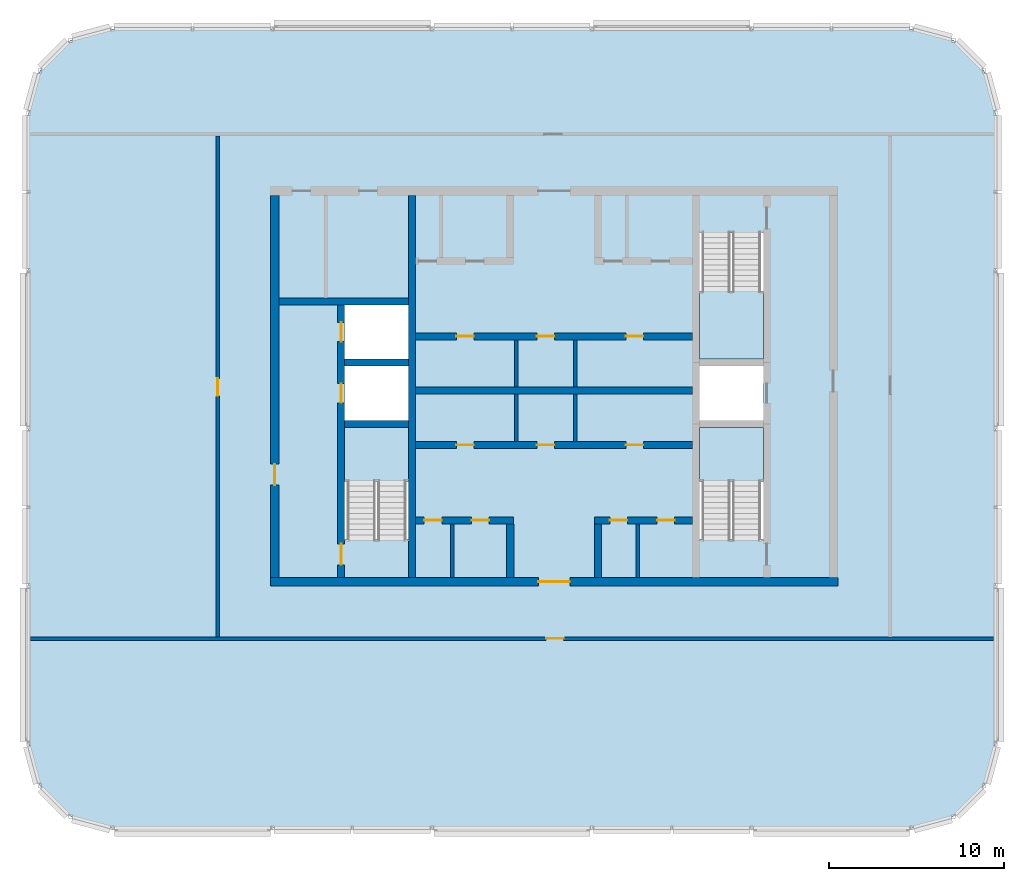
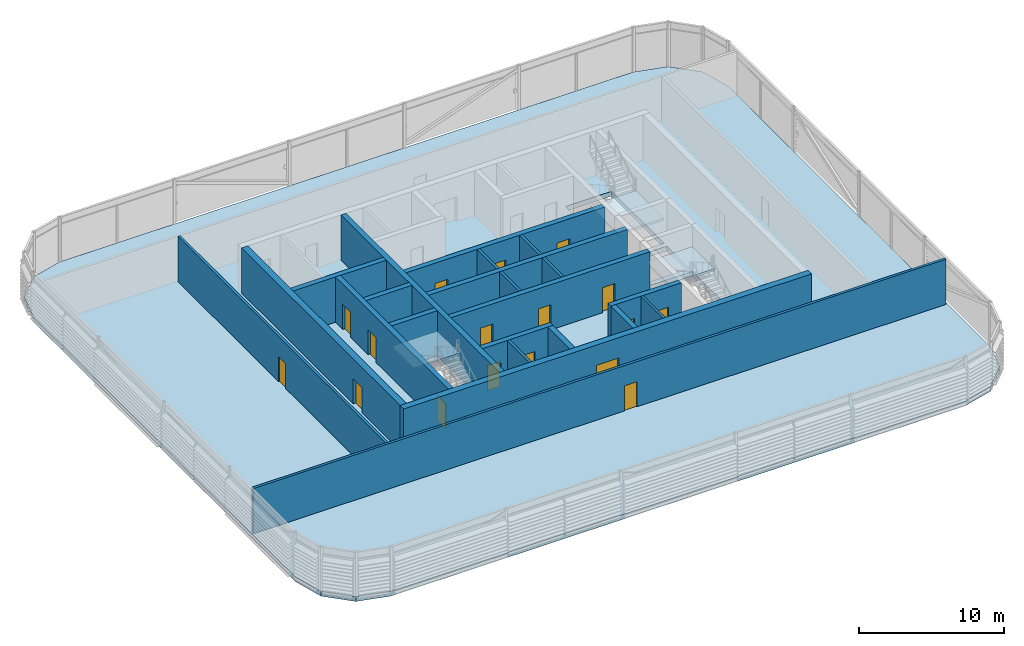
# One storey, part 15 of 28: 22 walls, 17 doors, 4 slabs, 17 openings, 3 elements without a shape of their own.
"""IFC4 building model written with IfcOpenShell, lengths in metres."""

from ifc_helpers import new_model, si_unit, direction, frame, frame_2d, origin, place, context, subcontext, project, spatial, polyline, rectangle, outline, extrude, material, layer, layer_set, type_object, element, fill, aggregate, save


model = new_model("IFC4")

# Units and contexts
model_context = context("Model", 3, precision=1e-05, world=origin(), true_north=direction((0.0, 1.0)))
body_context = subcontext(model_context, "Body", "Model", "MODEL_VIEW")
ifc_project = project(units=[si_unit("LENGTHUNIT", "METRE"), si_unit("AREAUNIT", "SQUARE_METRE"), si_unit("VOLUMEUNIT", "CUBIC_METRE"), si_unit("PLANEANGLEUNIT", "RADIAN"), si_unit("MASSUNIT", "GRAM", prefix="KILO")], contexts=[model_context])

# Site, building, storey
site_placement = place(None, origin())
site = spatial("IfcSite", under=ifc_project, at=site_placement, CompositionType="ELEMENT")
building_placement = place(site_placement, origin())
building = spatial("IfcBuilding", under=site, at=building_placement, Name="Madar Terraces", CompositionType="ELEMENT")
storey_placement = place(building_placement, frame((0.0, 0.0, 305.89990234375)))
storey = spatial("IfcBuildingStorey", under=building, at=storey_placement, Name="L79", CompositionType="ELEMENT", Elevation=305.89990234375)

# Slab
ifc_material_1 = material(Name="Concrete C50/60", Category="concrete")
ifc_layer_1 = layer(ifc_material_1, 0.39990234375)
ifc_layer_set_1 = layer_set([ifc_layer_1], Name="FS6 PT flat slab 400")
slab_type_1 = type_object("IfcSlabType", Name="FS6 PT flat slab 400", PredefinedType="FLOOR", material=ifc_layer_set_1)
slab_1_placement = place(storey_placement, frame((0.0, 0.0, -0.39990234375)))
element("IfcSlab", 1, at=slab_1_placement, inside=storey, type_object=slab_type_1, Name="Floor slab L79 (1)", PredefinedType="FLOOR", context=body_context, shape_type="SweptSolid", body=[
    extrude(outline(polyline([(51.60009765625, 1.199951171875), (54.0, 1.843017578125), (55.7568359375, 3.60009765625), (56.39990234375, 6.0), (56.39990234375, 42.0), (55.7568359375, 44.39990234375), (54.0, 46.156982421875), (51.60009765625, 46.800048828125), (6.0, 46.800048828125), (3.60009765625, 46.156982421875), (1.843017578125, 44.39990234375), (1.199951171875, 42.0), (1.199951171875, 6.0), (1.843017578125, 3.60009765625), (3.60009765625, 1.843017578125), (6.0, 1.199951171875), (51.60009765625, 1.199951171875)]), holes=[polyline([(22.89990234375, 24.050048828125), (22.89990234375, 17.64990234375), (19.25, 17.64990234375), (19.25, 24.050048828125), (22.89990234375, 24.050048828125)]), polyline([(43.14990234375, 17.64990234375), (39.5, 17.64990234375), (39.5, 24.050048828125), (43.14990234375, 24.050048828125), (43.14990234375, 17.64990234375)]), polyline([(22.89990234375, 24.449951171875), (19.25, 24.449951171875), (19.25, 27.550048828125), (22.89990234375, 27.550048828125), (22.89990234375, 24.449951171875)]), polyline([(43.14990234375, 27.550048828125), (43.14990234375, 24.449951171875), (39.5, 24.449951171875), (39.5, 27.550048828125), (43.14990234375, 27.550048828125)]), polyline([(22.89990234375, 27.949951171875), (19.25, 27.949951171875), (19.25, 31.050048828125), (22.89990234375, 31.050048828125), (22.89990234375, 27.949951171875)]), polyline([(43.14990234375, 27.949951171875), (39.5, 27.949951171875), (39.5, 35.14990234375), (43.14990234375, 35.14990234375), (43.14990234375, 27.949951171875)])]), origin(), (0.0, 0.0, 1.0), 0.39990234375),
])

# Stair, slab
ifc_material_2 = material(Name="Concrete C50/60", Category="concrete")
stair_type_1 = type_object("IfcStairType", Name="Stair ST1 protected exit", PredefinedType="HALF_TURN_STAIR", material=ifc_material_2)
stair_1_placement = place(storey_placement, origin())
stair_1 = element("IfcStair", 2, at=stair_1_placement, inside=storey, type_object=stair_type_1, Name="L79 Protected Exit Stair ST1", PredefinedType="HALF_TURN_STAIR")
ifc_material_3 = material(Name="Concrete C50/60", Category="concrete")
ifc_layer_2 = layer(ifc_material_3, 0.199951171875)
ifc_layer_set_2 = layer_set([ifc_layer_2], Name="Stair landing 200, top +2.10")
slab_type_2 = type_object("IfcSlabType", Name="Stair landing 200, top +2.10", PredefinedType="LANDING", material=ifc_layer_set_2)
slab_2_placement = place(storey_placement, frame((0.0, 0.0, 1.900146484375)))
slab_2 = element("IfcSlab", 3, at=slab_2_placement, type_object=slab_type_2, Name="ST1 landing 1", PredefinedType="LANDING", context=body_context, shape_type="SweptSolid", body=[
    extrude(outline(polyline([(19.25, 20.97998046875), (22.89990234375, 20.97998046875), (22.89990234375, 24.050048828125), (19.25, 24.050048828125), (19.25, 20.97998046875)])), origin(), (0.0, 0.0, 1.0), 0.199951171875),
])
aggregate(stair_1, [slab_2])

ifc_material_4 = material(Name="Concrete C50/60", Category="concrete")
stair_type_2 = type_object("IfcStairType", Name="Stair ST2 protected exit", PredefinedType="HALF_TURN_STAIR", material=ifc_material_4)
stair_2_placement = place(storey_placement, origin())
stair_2 = element("IfcStair", 4, at=stair_2_placement, inside=storey, type_object=stair_type_2, Name="L79 Protected Exit Stair ST2", PredefinedType="HALF_TURN_STAIR")
slab_3_placement = place(storey_placement, frame((0.0, 0.0, 1.900146484375)))
slab_3 = element("IfcSlab", 5, at=slab_3_placement, type_object=slab_type_2, Name="ST2 landing 1", PredefinedType="LANDING", context=body_context, shape_type="SweptSolid", body=[
    extrude(outline(polyline([(39.5, 27.949951171875), (43.14990234375, 27.949951171875), (43.14990234375, 31.820068359375), (39.5, 31.820068359375), (39.5, 27.949951171875)])), origin(), (0.0, 0.0, 1.0), 0.199951171875),
])
aggregate(stair_2, [slab_3])

ifc_material_5 = material(Name="Concrete C50/60", Category="concrete")
stair_type_3 = type_object("IfcStairType", Name="Stair ST3 protected exit", PredefinedType="HALF_TURN_STAIR", material=ifc_material_5)
stair_3_placement = place(storey_placement, origin())
stair_3 = element("IfcStair", 6, at=stair_3_placement, inside=storey, type_object=stair_type_3, Name="L79 Protected Exit Stair ST3", PredefinedType="HALF_TURN_STAIR")
slab_4_placement = place(storey_placement, frame((0.0, 0.0, 1.900146484375)))
slab_4 = element("IfcSlab", 7, at=slab_4_placement, type_object=slab_type_2, Name="ST3 landing 1", PredefinedType="LANDING", context=body_context, shape_type="SweptSolid", body=[
    extrude(outline(polyline([(39.5, 20.97998046875), (43.14990234375, 20.97998046875), (43.14990234375, 24.050048828125), (39.5, 24.050048828125), (39.5, 20.97998046875)])), origin(), (0.0, 0.0, 1.0), 0.199951171875),
])
aggregate(stair_3, [slab_4])

# Wall, openings, doors
ifc_material_6 = material(Name="Concrete C50/60", Category="concrete")
ifc_layer_3 = layer(ifc_material_6, 0.39990234375)
ifc_layer_set_3 = layer_set([ifc_layer_3], Name="Concrete C50/60 (CIW6 RC wall 400)")
wall_type_1 = type_object("IfcWallType", Name="CIW6 RC wall 400", PredefinedType="SHEAR", material=ifc_layer_set_3)
wall_1_placement = place(storey_placement, frame((19.050048828125, 15.5, 0.0), z_axis=(0.0, 0.0, 1.0), x_axis=(0.0, 1.0, 0.0)))
wall_1 = element("IfcWall", 8, at=wall_1_placement, inside=storey, type_object=wall_type_1, Name="CORE SHAFT WALL", PredefinedType="SHEAR", context=body_context, shape_type="SweptSolid", body=[
    extrude(rectangle(XDim=15.550048828125, YDim=0.39990234375, at=frame_2d((7.77490234375, 0.0))), origin(), (0.0, 0.0, 1.0), 3.800048828125),
])
opening_1_placement = place(wall_1_placement, frame((9.949951171875, 0.0, 0.0)))
opening_1 = element("IfcOpeningElement", 9, at=opening_1_placement, cuts=wall_1, Name="Opening LD", PredefinedType="OPENING", context=body_context, shape_type="SweptSolid", body=[
    extrude(rectangle(XDim=1.10009765625, YDim=2.10009765625, at=frame_2d((0.550048828125, 1.050048828125))), frame((0.0, 0.2099609375, 0.0), z_axis=(0.0, -1.0, 0.0), x_axis=(1.0, 0.0, 0.0)), (0.0, 0.0, 1.0), 0.419921875),
])
opening_2_placement = place(wall_1_placement, frame((13.449951171875, 0.0, 0.0)))
opening_2 = element("IfcOpeningElement", 10, at=opening_2_placement, cuts=wall_1, Name="Opening LD", PredefinedType="OPENING", context=body_context, shape_type="SweptSolid", body=[
    extrude(rectangle(XDim=1.10009765625, YDim=2.10009765625, at=frame_2d((0.550048828125, 1.050048828125))), frame((0.0, 0.2099609375, 0.0), z_axis=(0.0, -1.0, 0.0), x_axis=(1.0, 0.0, 0.0)), (0.0, 0.0, 1.0), 0.419921875),
])
opening_3_placement = place(wall_1_placement, frame((0.699951171875, 0.0, 0.0)))
opening_3 = element("IfcOpeningElement", 11, at=opening_3_placement, cuts=wall_1, Name="Opening SD1", PredefinedType="OPENING", context=body_context, shape_type="SweptSolid", body=[
    extrude(rectangle(XDim=1.199951171875, YDim=2.10009765625, at=frame_2d((0.60009765625, 1.050048828125))), frame((0.0, 0.2099609375, 0.0), z_axis=(0.0, -1.0, 0.0), x_axis=(1.0, 0.0, 0.0)), (0.0, 0.0, 1.0), 0.419921875),
])
ifc_material_7 = material(Name="Stainless steel panel", Category="steel")
door_type_1 = type_object("IfcDoorType", Name="Lift landing door 1100 x 2100", OperationType="DOUBLE_DOOR_SLIDING", PredefinedType="DOOR", material=ifc_material_7)
door_1_placement = place(opening_1_placement, origin())
door_1 = element("IfcDoor", 12, at=door_1_placement, inside=storey, type_object=door_type_1, Name="LIFT LANDING DOOR", OperationType="DOUBLE_DOOR_SLIDING", OverallHeight=2.10009765625, OverallWidth=1.10009765625, PredefinedType="DOOR", context=body_context, shape_type="SweptSolid", body=[
    extrude(rectangle(XDim=1.10009765625, YDim=2.10009765625, at=frame_2d((0.550048828125, 1.050048828125))), frame((0.0, 0.02490234375, 0.0), z_axis=(0.0, -1.0, 0.0), x_axis=(1.0, 0.0, 0.0)), (0.0, 0.0, 1.0), 0.050048828125),
])
fill(opening_1, door_1)
door_2_placement = place(opening_2_placement, origin())
door_2 = element("IfcDoor", 13, at=door_2_placement, inside=storey, type_object=door_type_1, Name="LIFT LANDING DOOR", OperationType="DOUBLE_DOOR_SLIDING", OverallHeight=2.10009765625, OverallWidth=1.10009765625, PredefinedType="DOOR", context=body_context, shape_type="SweptSolid", body=[
    extrude(rectangle(XDim=1.10009765625, YDim=2.10009765625, at=frame_2d((0.550048828125, 1.050048828125))), frame((0.0, 0.02490234375, 0.0), z_axis=(0.0, -1.0, 0.0), x_axis=(1.0, 0.0, 0.0)), (0.0, 0.0, 1.0), 0.050048828125),
])
fill(opening_2, door_2)
ifc_material_8 = material(Name="Steel door leaf", Category="steel")
door_type_2 = type_object("IfcDoorType", Name="Stair door 1200 x 2100", OperationType="NOTDEFINED", PredefinedType="DOOR", material=ifc_material_8)
door_3_placement = place(opening_3_placement, frame((1.199951171875, 0.0, 0.0), z_axis=(0.0, 0.0, 1.0), x_axis=(-1.0, 0.0, 0.0)))
door_3 = element("IfcDoor", 14, at=door_3_placement, inside=storey, type_object=door_type_2, Name="STAIR DOOR", OperationType="SINGLE_SWING_LEFT", OverallHeight=2.10009765625, OverallWidth=1.199951171875, PredefinedType="DOOR", context=body_context, shape_type="SweptSolid", body=[
    extrude(rectangle(XDim=1.199951171875, YDim=2.10009765625, at=frame_2d((0.60009765625, 1.050048828125))), frame((0.0, 0.02490234375, 0.0), z_axis=(0.0, -1.0, 0.0), x_axis=(1.0, 0.0, 0.0)), (0.0, 0.0, 1.0), 0.050048828125),
])
fill(opening_3, door_3)

# Walls
wall_2_placement = place(storey_placement, frame((23.10009765625, 15.5, 0.0), z_axis=(0.0, 0.0, 1.0), x_axis=(0.0, 1.0, 0.0)))
element("IfcWall", 15, at=wall_2_placement, inside=storey, type_object=wall_type_1, Name="CORE SHAFT WALL", PredefinedType="SHEAR", context=body_context, shape_type="SweptSolid", body=[
    extrude(rectangle(XDim=21.800048828125, YDim=0.39990234375, at=frame_2d((10.89990234375, 0.0))), origin(), (0.0, 0.0, 1.0), 3.800048828125),
])
for number, where, z_axis, x_axis, name in (
    (16, (19.25, 24.25, 0.0), (0.0, 0.0, 1.0), (1.0, 0.0, 0.0), "CORE SHAFT WALL"),
    (17, (19.25, 27.75, 0.0), (0.0, 0.0, 1.0), (1.0, 0.0, 0.0), "CORE SHAFT WALL"),
):
    element("IfcWall", number, at=place(storey_placement, frame(where, z_axis=z_axis, x_axis=x_axis)), inside=storey, type_object=wall_type_1, Name=name, PredefinedType="SHEAR", context=body_context, shape_type="SweptSolid", body=[
        extrude(rectangle(XDim=3.64990234375, YDim=0.39990234375, at=frame_2d((1.824951171875, 0.0))), origin(), (0.0, 0.0, 1.0), 3.800048828125),
    ])
wall_3_placement = place(storey_placement, frame((15.5, 31.25, 0.0), z_axis=(0.0, 0.0, 1.0), x_axis=(1.0, 0.0, 0.0)))
element("IfcWall", 18, at=wall_3_placement, inside=storey, type_object=wall_type_1, Name="CORE SHAFT WALL", PredefinedType="SHEAR", context=body_context, shape_type="SweptSolid", body=[
    extrude(rectangle(XDim=7.39990234375, YDim=0.39990234375, at=frame_2d((3.699951171875, 0.0))), origin(), (0.0, 0.0, 1.0), 3.800048828125),
])

# Wall, openings, doors
wall_4_placement = place(storey_placement, frame((23.300048828125, 18.75, 0.0), z_axis=(0.0, 0.0, 1.0), x_axis=(1.0, 0.0, 0.0)))
wall_4 = element("IfcWall", 19, at=wall_4_placement, inside=storey, type_object=wall_type_1, Name="CORE SHAFT WALL", PredefinedType="SHEAR", context=body_context, shape_type="SweptSolid", body=[
    extrude(rectangle(XDim=5.599853515625, YDim=0.39990234375, at=frame_2d((2.7998046875, 0.0))), origin(), (0.0, 0.0, 1.0), 3.800048828125),
])
opening_4_placement = place(wall_4_placement, frame((0.489990234375, 0.0, 0.0)))
opening_4 = element("IfcOpeningElement", 20, at=opening_4_placement, cuts=wall_4, Name="Opening KD2", PredefinedType="OPENING", context=body_context, shape_type="SweptSolid", body=[
    extrude(rectangle(XDim=1.0, YDim=2.10009765625, at=frame_2d((0.5, 1.050048828125))), frame((0.0, 0.2099609375, 0.0), z_axis=(0.0, -1.0, 0.0), x_axis=(1.0, 0.0, 0.0)), (0.0, 0.0, 1.0), 0.419921875),
])
opening_5_placement = place(wall_4_placement, frame((3.18994140625, 0.0, 0.0)))
opening_5 = element("IfcOpeningElement", 21, at=opening_5_placement, cuts=wall_4, Name="Opening KD2", PredefinedType="OPENING", context=body_context, shape_type="SweptSolid", body=[
    extrude(rectangle(XDim=1.0, YDim=2.10009765625, at=frame_2d((0.5, 1.050048828125))), frame((0.0, 0.2099609375, 0.0), z_axis=(0.0, -1.0, 0.0), x_axis=(1.0, 0.0, 0.0)), (0.0, 0.0, 1.0), 0.419921875),
])
ifc_material_9 = material(Name="Steel door leaf", Category="steel")
door_type_3 = type_object("IfcDoorType", Name="Service room door 1000 x 2100", OperationType="NOTDEFINED", PredefinedType="DOOR", material=ifc_material_9)
door_4_placement = place(opening_4_placement, origin())
door_4 = element("IfcDoor", 22, at=door_4_placement, inside=storey, type_object=door_type_3, Name="SERVICE ROOM DOOR", OperationType="SINGLE_SWING_RIGHT", OverallHeight=2.10009765625, OverallWidth=1.0, PredefinedType="DOOR", context=body_context, shape_type="SweptSolid", body=[
    extrude(rectangle(XDim=1.0, YDim=2.10009765625, at=frame_2d((0.5, 1.050048828125))), frame((0.0, 0.02490234375, 0.0), z_axis=(0.0, -1.0, 0.0), x_axis=(1.0, 0.0, 0.0)), (0.0, 0.0, 1.0), 0.050048828125),
])
fill(opening_4, door_4)
door_5_placement = place(opening_5_placement, origin())
door_5 = element("IfcDoor", 23, at=door_5_placement, inside=storey, type_object=door_type_3, Name="SERVICE ROOM DOOR", OperationType="SINGLE_SWING_LEFT", OverallHeight=2.10009765625, OverallWidth=1.0, PredefinedType="DOOR", context=body_context, shape_type="SweptSolid", body=[
    extrude(rectangle(XDim=1.0, YDim=2.10009765625, at=frame_2d((0.5, 1.050048828125))), frame((0.0, 0.02490234375, 0.0), z_axis=(0.0, -1.0, 0.0), x_axis=(1.0, 0.0, 0.0)), (0.0, 0.0, 1.0), 0.050048828125),
])
fill(opening_5, door_5)

wall_5_placement = place(storey_placement, frame((33.5, 18.75, 0.0), z_axis=(0.0, 0.0, 1.0), x_axis=(1.0, 0.0, 0.0)))
wall_5 = element("IfcWall", 24, at=wall_5_placement, inside=storey, type_object=wall_type_1, Name="CORE SHAFT WALL", PredefinedType="SHEAR", context=body_context, shape_type="SweptSolid", body=[
    extrude(rectangle(XDim=5.60009765625, YDim=0.39990234375, at=frame_2d((2.800048828125, 0.0))), origin(), (0.0, 0.0, 1.0), 3.800048828125),
])
opening_6_placement = place(wall_5_placement, frame((0.889892578125, 0.0, 0.0)))
opening_6 = element("IfcOpeningElement", 25, at=opening_6_placement, cuts=wall_5, Name="Opening KD2", PredefinedType="OPENING", context=body_context, shape_type="SweptSolid", body=[
    extrude(rectangle(XDim=1.0, YDim=2.10009765625, at=frame_2d((0.5, 1.050048828125))), frame((0.0, 0.2099609375, 0.0), z_axis=(0.0, -1.0, 0.0), x_axis=(1.0, 0.0, 0.0)), (0.0, 0.0, 1.0), 0.419921875),
])
opening_7_placement = place(wall_5_placement, frame((3.590087890625, 0.0, 0.0)))
opening_7 = element("IfcOpeningElement", 26, at=opening_7_placement, cuts=wall_5, Name="Opening KD2", PredefinedType="OPENING", context=body_context, shape_type="SweptSolid", body=[
    extrude(rectangle(XDim=1.0, YDim=2.10009765625, at=frame_2d((0.5, 1.050048828125))), frame((0.0, 0.2099609375, 0.0), z_axis=(0.0, -1.0, 0.0), x_axis=(1.0, 0.0, 0.0)), (0.0, 0.0, 1.0), 0.419921875),
])
door_6_placement = place(opening_6_placement, origin())
door_6 = element("IfcDoor", 27, at=door_6_placement, inside=storey, type_object=door_type_3, Name="SERVICE ROOM DOOR", OperationType="SINGLE_SWING_RIGHT", OverallHeight=2.10009765625, OverallWidth=1.0, PredefinedType="DOOR", context=body_context, shape_type="SweptSolid", body=[
    extrude(rectangle(XDim=1.0, YDim=2.10009765625, at=frame_2d((0.5, 1.050048828125))), frame((0.0, 0.02490234375, 0.0), z_axis=(0.0, -1.0, 0.0), x_axis=(1.0, 0.0, 0.0)), (0.0, 0.0, 1.0), 0.050048828125),
])
fill(opening_6, door_6)
door_7_placement = place(opening_7_placement, origin())
door_7 = element("IfcDoor", 28, at=door_7_placement, inside=storey, type_object=door_type_3, Name="SERVICE ROOM DOOR", OperationType="SINGLE_SWING_LEFT", OverallHeight=2.10009765625, OverallWidth=1.0, PredefinedType="DOOR", context=body_context, shape_type="SweptSolid", body=[
    extrude(rectangle(XDim=1.0, YDim=2.10009765625, at=frame_2d((0.5, 1.050048828125))), frame((0.0, 0.02490234375, 0.0), z_axis=(0.0, -1.0, 0.0), x_axis=(1.0, 0.0, 0.0)), (0.0, 0.0, 1.0), 0.050048828125),
])
fill(opening_7, door_7)

wall_6_placement = place(storey_placement, frame((23.300048828125, 23.050048828125, 0.0), z_axis=(0.0, 0.0, 1.0), x_axis=(1.0, 0.0, 0.0)))
wall_6 = element("IfcWall", 29, at=wall_6_placement, inside=storey, type_object=wall_type_1, Name="CORE SHAFT WALL", PredefinedType="SHEAR", context=body_context, shape_type="SweptSolid", body=[
    extrude(rectangle(XDim=15.800048828125, YDim=0.39990234375, at=frame_2d((7.89990234375, 0.0))), origin(), (0.0, 0.0, 1.0), 3.800048828125),
])
opening_8_placement = place(wall_6_placement, frame((2.3203125, 0.0, 0.0)))
opening_8 = element("IfcOpeningElement", 30, at=opening_8_placement, cuts=wall_6, Name="Opening KD2", PredefinedType="OPENING", context=body_context, shape_type="SweptSolid", body=[
    extrude(rectangle(XDim=1.0, YDim=2.10009765625, at=frame_2d((0.5, 1.050048828125))), frame((0.0, 0.2099609375, 0.0), z_axis=(0.0, -1.0, 0.0), x_axis=(1.0, 0.0, 0.0)), (0.0, 0.0, 1.0), 0.419921875),
])
opening_9_placement = place(wall_6_placement, frame((6.926025390625, 0.0, 0.0)))
opening_9 = element("IfcOpeningElement", 31, at=opening_9_placement, cuts=wall_6, Name="Opening KD2", PredefinedType="OPENING", context=body_context, shape_type="SweptSolid", body=[
    extrude(rectangle(XDim=1.0, YDim=2.10009765625, at=frame_2d((0.5, 1.050048828125))), frame((0.0, 0.2099609375, 0.0), z_axis=(0.0, -1.0, 0.0), x_axis=(1.0, 0.0, 0.0)), (0.0, 0.0, 1.0), 0.419921875),
])
opening_10_placement = place(wall_6_placement, frame((12.005615234375, 0.0, 0.0)))
opening_10 = element("IfcOpeningElement", 32, at=opening_10_placement, cuts=wall_6, Name="Opening KD2", PredefinedType="OPENING", context=body_context, shape_type="SweptSolid", body=[
    extrude(rectangle(XDim=1.0, YDim=2.10009765625, at=frame_2d((0.5, 1.050048828125))), frame((0.0, 0.2099609375, 0.0), z_axis=(0.0, -1.0, 0.0), x_axis=(1.0, 0.0, 0.0)), (0.0, 0.0, 1.0), 0.419921875),
])
door_8_placement = place(opening_8_placement, frame((1.0, 0.0, 0.0), z_axis=(0.0, 0.0, 1.0), x_axis=(-1.0, 0.0, 0.0)))
door_8 = element("IfcDoor", 33, at=door_8_placement, inside=storey, type_object=door_type_3, Name="SERVICE ROOM DOOR", OperationType="SINGLE_SWING_RIGHT", OverallHeight=2.10009765625, OverallWidth=1.0, PredefinedType="DOOR", context=body_context, shape_type="SweptSolid", body=[
    extrude(rectangle(XDim=1.0, YDim=2.10009765625, at=frame_2d((0.5, 1.050048828125))), frame((0.0, 0.02490234375, 0.0), z_axis=(0.0, -1.0, 0.0), x_axis=(1.0, 0.0, 0.0)), (0.0, 0.0, 1.0), 0.050048828125),
])
fill(opening_8, door_8)
door_9_placement = place(opening_9_placement, frame((1.0, 0.0, 0.0), z_axis=(0.0, 0.0, 1.0), x_axis=(-1.0, 0.0, 0.0)))
door_9 = element("IfcDoor", 34, at=door_9_placement, inside=storey, type_object=door_type_3, Name="SERVICE ROOM DOOR", OperationType="SINGLE_SWING_LEFT", OverallHeight=2.10009765625, OverallWidth=1.0, PredefinedType="DOOR", context=body_context, shape_type="SweptSolid", body=[
    extrude(rectangle(XDim=1.0, YDim=2.10009765625, at=frame_2d((0.5, 1.050048828125))), frame((0.0, 0.02490234375, 0.0), z_axis=(0.0, -1.0, 0.0), x_axis=(1.0, 0.0, 0.0)), (0.0, 0.0, 1.0), 0.050048828125),
])
fill(opening_9, door_9)
door_10_placement = place(opening_10_placement, frame((1.0, 0.0, 0.0), z_axis=(0.0, 0.0, 1.0), x_axis=(-1.0, 0.0, 0.0)))
door_10 = element("IfcDoor", 35, at=door_10_placement, inside=storey, type_object=door_type_3, Name="SERVICE ROOM DOOR", OperationType="SINGLE_SWING_RIGHT", OverallHeight=2.10009765625, OverallWidth=1.0, PredefinedType="DOOR", context=body_context, shape_type="SweptSolid", body=[
    extrude(rectangle(XDim=1.0, YDim=2.10009765625, at=frame_2d((0.5, 1.050048828125))), frame((0.0, 0.02490234375, 0.0), z_axis=(0.0, -1.0, 0.0), x_axis=(1.0, 0.0, 0.0)), (0.0, 0.0, 1.0), 0.050048828125),
])
fill(opening_10, door_10)

# Wall
wall_7_placement = place(storey_placement, frame((23.300048828125, 26.14990234375, 0.0), z_axis=(0.0, 0.0, 1.0), x_axis=(1.0, 0.0, 0.0)))
element("IfcWall", 36, at=wall_7_placement, inside=storey, type_object=wall_type_1, Name="CORE SHAFT WALL", PredefinedType="SHEAR", context=body_context, shape_type="SweptSolid", body=[
    extrude(rectangle(XDim=15.800048828125, YDim=0.39990234375, at=frame_2d((7.89990234375, 0.0))), origin(), (0.0, 0.0, 1.0), 3.800048828125),
])

# Wall, openings, doors
wall_8_placement = place(storey_placement, frame((23.300048828125, 29.25, 0.0), z_axis=(0.0, 0.0, 1.0), x_axis=(1.0, 0.0, 0.0)))
wall_8 = element("IfcWall", 37, at=wall_8_placement, inside=storey, type_object=wall_type_1, Name="CORE SHAFT WALL", PredefinedType="SHEAR", context=body_context, shape_type="SweptSolid", body=[
    extrude(rectangle(XDim=15.800048828125, YDim=0.39990234375, at=frame_2d((7.89990234375, 0.0))), origin(), (0.0, 0.0, 1.0), 3.800048828125),
])
opening_11_placement = place(wall_8_placement, frame((2.3203125, 0.0, 0.0)))
opening_11 = element("IfcOpeningElement", 38, at=opening_11_placement, cuts=wall_8, Name="Opening KD2", PredefinedType="OPENING", context=body_context, shape_type="SweptSolid", body=[
    extrude(rectangle(XDim=1.0, YDim=2.10009765625, at=frame_2d((0.5, 1.050048828125))), frame((0.0, 0.2099609375, 0.0), z_axis=(0.0, -1.0, 0.0), x_axis=(1.0, 0.0, 0.0)), (0.0, 0.0, 1.0), 0.419921875),
])
opening_12_placement = place(wall_8_placement, frame((6.926025390625, 0.0, 0.0)))
opening_12 = element("IfcOpeningElement", 39, at=opening_12_placement, cuts=wall_8, Name="Opening KD2", PredefinedType="OPENING", context=body_context, shape_type="SweptSolid", body=[
    extrude(rectangle(XDim=1.0, YDim=2.10009765625, at=frame_2d((0.5, 1.050048828125))), frame((0.0, 0.2099609375, 0.0), z_axis=(0.0, -1.0, 0.0), x_axis=(1.0, 0.0, 0.0)), (0.0, 0.0, 1.0), 0.419921875),
])
opening_13_placement = place(wall_8_placement, frame((12.005615234375, 0.0, 0.0)))
opening_13 = element("IfcOpeningElement", 40, at=opening_13_placement, cuts=wall_8, Name="Opening KD2", PredefinedType="OPENING", context=body_context, shape_type="SweptSolid", body=[
    extrude(rectangle(XDim=1.0, YDim=2.10009765625, at=frame_2d((0.5, 1.050048828125))), frame((0.0, 0.2099609375, 0.0), z_axis=(0.0, -1.0, 0.0), x_axis=(1.0, 0.0, 0.0)), (0.0, 0.0, 1.0), 0.419921875),
])
door_11_placement = place(opening_11_placement, origin())
door_11 = element("IfcDoor", 41, at=door_11_placement, inside=storey, type_object=door_type_3, Name="SERVICE ROOM DOOR", OperationType="SINGLE_SWING_LEFT", OverallHeight=2.10009765625, OverallWidth=1.0, PredefinedType="DOOR", context=body_context, shape_type="SweptSolid", body=[
    extrude(rectangle(XDim=1.0, YDim=2.10009765625, at=frame_2d((0.5, 1.050048828125))), frame((0.0, 0.02490234375, 0.0), z_axis=(0.0, -1.0, 0.0), x_axis=(1.0, 0.0, 0.0)), (0.0, 0.0, 1.0), 0.050048828125),
])
fill(opening_11, door_11)
door_12_placement = place(opening_12_placement, origin())
door_12 = element("IfcDoor", 42, at=door_12_placement, inside=storey, type_object=door_type_3, Name="SERVICE ROOM DOOR", OperationType="SINGLE_SWING_RIGHT", OverallHeight=2.10009765625, OverallWidth=1.0, PredefinedType="DOOR", context=body_context, shape_type="SweptSolid", body=[
    extrude(rectangle(XDim=1.0, YDim=2.10009765625, at=frame_2d((0.5, 1.050048828125))), frame((0.0, 0.02490234375, 0.0), z_axis=(0.0, -1.0, 0.0), x_axis=(1.0, 0.0, 0.0)), (0.0, 0.0, 1.0), 0.050048828125),
])
fill(opening_12, door_12)
door_13_placement = place(opening_13_placement, origin())
door_13 = element("IfcDoor", 43, at=door_13_placement, inside=storey, type_object=door_type_3, Name="SERVICE ROOM DOOR", OperationType="SINGLE_SWING_LEFT", OverallHeight=2.10009765625, OverallWidth=1.0, PredefinedType="DOOR", context=body_context, shape_type="SweptSolid", body=[
    extrude(rectangle(XDim=1.0, YDim=2.10009765625, at=frame_2d((0.5, 1.050048828125))), frame((0.0, 0.02490234375, 0.0), z_axis=(0.0, -1.0, 0.0), x_axis=(1.0, 0.0, 0.0)), (0.0, 0.0, 1.0), 0.050048828125),
])
fill(opening_13, door_13)

# Walls
for number, where, z_axis, x_axis, name in (
    (44, (28.699951171875, 15.5, 0.0), (0.0, 0.0, 1.0), (0.0, 1.0, 0.0), "CORE SHAFT WALL"),
    (45, (33.699951171875, 15.5, 0.0), (0.0, 0.0, 1.0), (0.0, 1.0, 0.0), "CORE SHAFT WALL"),
):
    element("IfcWall", number, at=place(storey_placement, frame(where, z_axis=z_axis, x_axis=x_axis)), inside=storey, type_object=wall_type_1, Name=name, PredefinedType="SHEAR", context=body_context, shape_type="SweptSolid", body=[
        extrude(rectangle(XDim=3.050048828125, YDim=0.39990234375, at=frame_2d((1.52490234375, 0.0))), origin(), (0.0, 0.0, 1.0), 3.800048828125),
    ])

# Wall, opening, door
ifc_material_10 = material(Name="Concrete C50/60", Category="concrete")
ifc_layer_4 = layer(ifc_material_10, 0.5)
ifc_layer_set_4 = layer_set([ifc_layer_4], Name="Concrete C50/60 (CRW6 RC wall 500)")
wall_type_2 = type_object("IfcWallType", Name="CRW6 RC wall 500", PredefinedType="SHEAR", material=ifc_layer_set_4)
wall_9_placement = place(storey_placement, frame((15.0, 15.25, 0.0), z_axis=(0.0, 0.0, 1.0), x_axis=(1.0, 0.0, 0.0)))
wall_9 = element("IfcWall", 46, at=wall_9_placement, inside=storey, type_object=wall_type_2, Name="CORE OUTER WALL", PredefinedType="SHEAR", context=body_context, shape_type="SweptSolid", body=[
    extrude(rectangle(XDim=32.39990234375, YDim=0.5, at=frame_2d((16.199951171875, 0.0))), origin(), (0.0, 0.0, 1.0), 3.800048828125),
])
opening_14_placement = place(wall_9_placement, frame((15.300048828125, 0.0, 0.0)))
opening_14 = element("IfcOpeningElement", 47, at=opening_14_placement, cuts=wall_9, Name="Opening KD1", PredefinedType="OPENING", context=body_context, shape_type="SweptSolid", body=[
    extrude(rectangle(XDim=1.800048828125, YDim=2.10009765625, at=frame_2d((0.89990234375, 1.050048828125))), frame((0.0, 0.260009765625, 0.0), z_axis=(0.0, -1.0, 0.0), x_axis=(1.0, 0.0, 0.0)), (0.0, 0.0, 1.0), 0.52001953125),
])
ifc_material_11 = material(Name="Steel door leaf", Category="steel")
door_type_4 = type_object("IfcDoorType", Name="Lobby door pair 1800 x 2100", OperationType="DOUBLE_DOOR_SINGLE_SWING", PredefinedType="DOOR", material=ifc_material_11)
door_14_placement = place(opening_14_placement, frame((1.800048828125, 0.0, 0.0), z_axis=(0.0, 0.0, 1.0), x_axis=(-1.0, 0.0, 0.0)))
door_14 = element("IfcDoor", 48, at=door_14_placement, inside=storey, type_object=door_type_4, Name="LIFT LOBBY DOOR", OperationType="DOUBLE_DOOR_SINGLE_SWING", OverallHeight=2.10009765625, OverallWidth=1.800048828125, PredefinedType="DOOR", context=body_context, shape_type="SweptSolid", body=[
    extrude(rectangle(XDim=1.800048828125, YDim=2.10009765625, at=frame_2d((0.89990234375, 1.050048828125))), frame((0.0, 0.02490234375, 0.0), z_axis=(0.0, -1.0, 0.0), x_axis=(1.0, 0.0, 0.0)), (0.0, 0.0, 1.0), 0.050048828125),
])
fill(opening_14, door_14)

wall_10_placement = place(storey_placement, frame((15.25, 15.5, 0.0), z_axis=(0.0, 0.0, 1.0), x_axis=(0.0, 1.0, 0.0)))
wall_10 = element("IfcWall", 49, at=wall_10_placement, inside=storey, type_object=wall_type_2, Name="CORE OUTER WALL", PredefinedType="SHEAR", context=body_context, shape_type="SweptSolid", body=[
    extrude(rectangle(XDim=21.800048828125, YDim=0.5, at=frame_2d((10.89990234375, 0.0))), origin(), (0.0, 0.0, 1.0), 3.800048828125),
])
opening_15_placement = place(wall_10_placement, frame((5.260009765625, 0.0, 0.0)))
opening_15 = element("IfcOpeningElement", 50, at=opening_15_placement, cuts=wall_10, Name="Opening SD1", PredefinedType="OPENING", context=body_context, shape_type="SweptSolid", body=[
    extrude(rectangle(XDim=1.199951171875, YDim=2.10009765625, at=frame_2d((0.60009765625, 1.050048828125))), frame((0.0, 0.260009765625, 0.0), z_axis=(0.0, -1.0, 0.0), x_axis=(1.0, 0.0, 0.0)), (0.0, 0.0, 1.0), 0.52001953125),
])
door_15_placement = place(opening_15_placement, frame((1.199951171875, 0.0, 0.0), z_axis=(0.0, 0.0, 1.0), x_axis=(-1.0, 0.0, 0.0)))
door_15 = element("IfcDoor", 51, at=door_15_placement, inside=storey, type_object=door_type_2, Name="STAIR DOOR", OperationType="SINGLE_SWING_RIGHT", OverallHeight=2.10009765625, OverallWidth=1.199951171875, PredefinedType="DOOR", context=body_context, shape_type="SweptSolid", body=[
    extrude(rectangle(XDim=1.199951171875, YDim=2.10009765625, at=frame_2d((0.60009765625, 1.050048828125))), frame((0.0, 0.02490234375, 0.0), z_axis=(0.0, -1.0, 0.0), x_axis=(1.0, 0.0, 0.0)), (0.0, 0.0, 1.0), 0.050048828125),
])
fill(opening_15, door_15)

# Walls
ifc_material_12 = material(Name="Masonry blockwork", Category="masonry")
ifc_layer_5 = layer(ifc_material_12, 0.199951171875)
ifc_layer_set_5 = layer_set([ifc_layer_5], Name="Core partition 200 blockwork")
wall_type_3 = type_object("IfcWallType", Name="Core partition 200 blockwork", PredefinedType="PARTITIONING", material=ifc_layer_set_5)
for number, where, z_axis, x_axis, name in (
    (52, (29.040771484375, 23.25, 0.0), (0.0, 0.0, 1.0), (0.0, 1.0, 0.0), "SERVICE ROOM PARTITION"),
    (53, (32.411376953125, 23.25, 0.0), (0.0, 0.0, 1.0), (0.0, 1.0, 0.0), "SERVICE ROOM PARTITION"),
    (54, (29.040771484375, 26.35009765625, 0.0), (0.0, 0.0, 1.0), (0.0, 1.0, 0.0), "SERVICE ROOM PARTITION"),
    (55, (32.411376953125, 26.35009765625, 0.0), (0.0, 0.0, 1.0), (0.0, 1.0, 0.0), "SERVICE ROOM PARTITION"),
):
    element("IfcWall", number, at=place(storey_placement, frame(where, z_axis=z_axis, x_axis=x_axis)), inside=storey, type_object=wall_type_3, Name=name, PredefinedType="PARTITIONING", context=body_context, shape_type="SweptSolid", body=[
        extrude(rectangle(XDim=2.699951171875, YDim=0.199951171875, at=frame_2d((1.35009765625, 0.0))), origin(), (0.0, 0.0, 1.0), 3.800048828125),
    ])
for number, where, z_axis, x_axis, name in (
    (56, (25.3798828125, 15.5, 0.0), (0.0, 0.0, 1.0), (0.0, 1.0, 0.0), "SERVICE ROOM PARTITION"),
    (57, (35.97998046875, 15.5, 0.0), (0.0, 0.0, 1.0), (0.0, 1.0, 0.0), "SERVICE ROOM PARTITION"),
):
    element("IfcWall", number, at=place(storey_placement, frame(where, z_axis=z_axis, x_axis=x_axis)), inside=storey, type_object=wall_type_3, Name=name, PredefinedType="PARTITIONING", context=body_context, shape_type="SweptSolid", body=[
        extrude(rectangle(XDim=3.050048828125, YDim=0.199951171875, at=frame_2d((1.52490234375, 0.0))), origin(), (0.0, 0.0, 1.0), 3.800048828125),
    ])

# Wall, opening, door
ifc_material_13 = material(Name="Blockwork", Category="masonry")
ifc_layer_6 = layer(ifc_material_13, 0.199951171875)
ifc_layer_set_6 = layer_set([ifc_layer_6], Name="Partition 200 EI 120")
wall_type_4 = type_object("IfcWallType", Name="Partition 200 EI 120", PredefinedType="PARTITIONING", material=ifc_layer_set_6)
wall_11_placement = place(storey_placement, frame((56.300048828125, 12.0, 0.0), z_axis=(0.0, 0.0, 1.0), x_axis=(-1.0, 0.0, 0.0)))
wall_11 = element("IfcWall", 58, at=wall_11_placement, inside=storey, type_object=wall_type_4, Name="Wall AIR HANDLING PLANT ROOM", PredefinedType="PARTITIONING", context=body_context, shape_type="SweptSolid", body=[
    extrude(rectangle(XDim=55.0, YDim=0.199951171875, at=frame_2d((27.5, 0.0))), origin(), (0.0, 0.0, 1.0), 3.800048828125),
])
opening_16_placement = place(wall_11_placement, frame((24.550048828125, 0.0, 0.0)))
opening_16 = element("IfcOpeningElement", 59, at=opening_16_placement, cuts=wall_11, Name="Opening D33", PredefinedType="OPENING", context=body_context, shape_type="SweptSolid", body=[
    extrude(rectangle(XDim=1.0, YDim=2.10009765625, at=frame_2d((0.5, 1.050048828125))), frame((0.0, 0.10986328125, 0.0), z_axis=(0.0, -1.0, 0.0), x_axis=(1.0, 0.0, 0.0)), (0.0, 0.0, 1.0), 0.219970703125),
])
ifc_material_14 = material(Name="Timber door leaf, fire-rated", Category="wood")
door_type_5 = type_object("IfcDoorType", Name="Podium door 1000 x 2100 FD90S", OperationType="NOTDEFINED", PredefinedType="DOOR", material=ifc_material_14)
door_16_placement = place(opening_16_placement, origin())
door_16 = element("IfcDoor", 60, at=door_16_placement, inside=storey, type_object=door_type_5, Name="Door AIR HANDLING PLANT ROOM / RING CORRIDOR", OperationType="SINGLE_SWING_LEFT", OverallHeight=2.10009765625, OverallWidth=1.0, PredefinedType="DOOR", context=body_context, shape_type="SweptSolid", body=[
    extrude(rectangle(XDim=1.0, YDim=2.10009765625, at=frame_2d((0.5, 1.050048828125))), frame((0.0, 0.02490234375, 0.0), z_axis=(0.0, -1.0, 0.0), x_axis=(1.0, 0.0, 0.0)), (0.0, 0.0, 1.0), 0.050048828125),
])
fill(opening_16, door_16)

wall_12_placement = place(storey_placement, frame((12.0, 12.10009765625, 0.0), z_axis=(0.0, 0.0, 1.0), x_axis=(0.0, 1.0, 0.0)))
wall_12 = element("IfcWall", 61, at=wall_12_placement, inside=storey, type_object=wall_type_4, Name="Wall STORE PLANT ROOM / RING CORRIDOR", PredefinedType="PARTITIONING", context=body_context, shape_type="SweptSolid", body=[
    extrude(rectangle(XDim=28.599853515625, YDim=0.199951171875, at=frame_2d((14.2998046875, 0.0))), origin(), (0.0, 0.0, 1.0), 3.800048828125),
])
opening_17_placement = place(wall_12_placement, frame((13.75, 0.0, 0.0)))
opening_17 = element("IfcOpeningElement", 62, at=opening_17_placement, cuts=wall_12, Name="Opening D33", PredefinedType="OPENING", context=body_context, shape_type="SweptSolid", body=[
    extrude(rectangle(XDim=1.0, YDim=2.10009765625, at=frame_2d((0.5, 1.050048828125))), frame((0.0, 0.10986328125, 0.0), z_axis=(0.0, -1.0, 0.0), x_axis=(1.0, 0.0, 0.0)), (0.0, 0.0, 1.0), 0.219970703125),
])
door_17_placement = place(opening_17_placement, origin())
door_17 = element("IfcDoor", 63, at=door_17_placement, inside=storey, type_object=door_type_5, Name="Door STORE PLANT ROOM / RING CORRIDOR", OperationType="SINGLE_SWING_LEFT", OverallHeight=2.10009765625, OverallWidth=1.0, PredefinedType="DOOR", context=body_context, shape_type="SweptSolid", body=[
    extrude(rectangle(XDim=1.0, YDim=2.10009765625, at=frame_2d((0.5, 1.050048828125))), frame((0.0, 0.02490234375, 0.0), z_axis=(0.0, -1.0, 0.0), x_axis=(1.0, 0.0, 0.0)), (0.0, 0.0, 1.0), 0.050048828125),
])
fill(opening_17, door_17)

save(model, "model.ifc")
